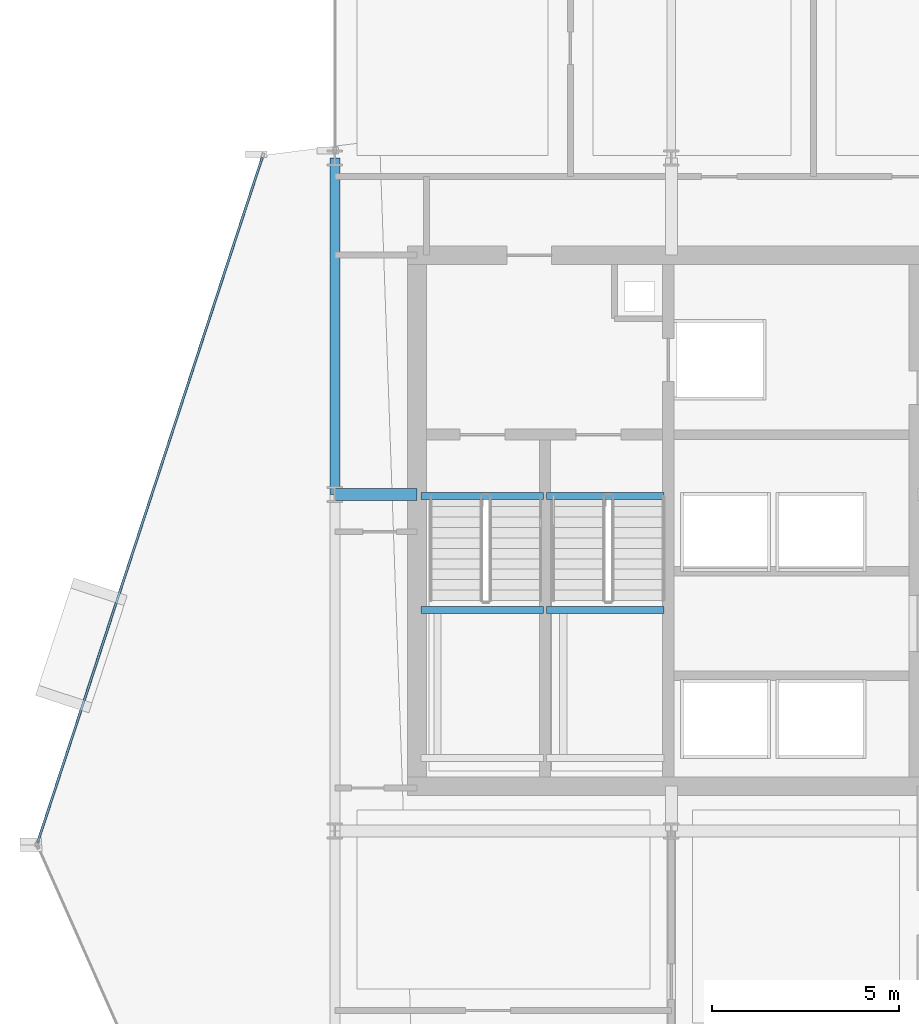
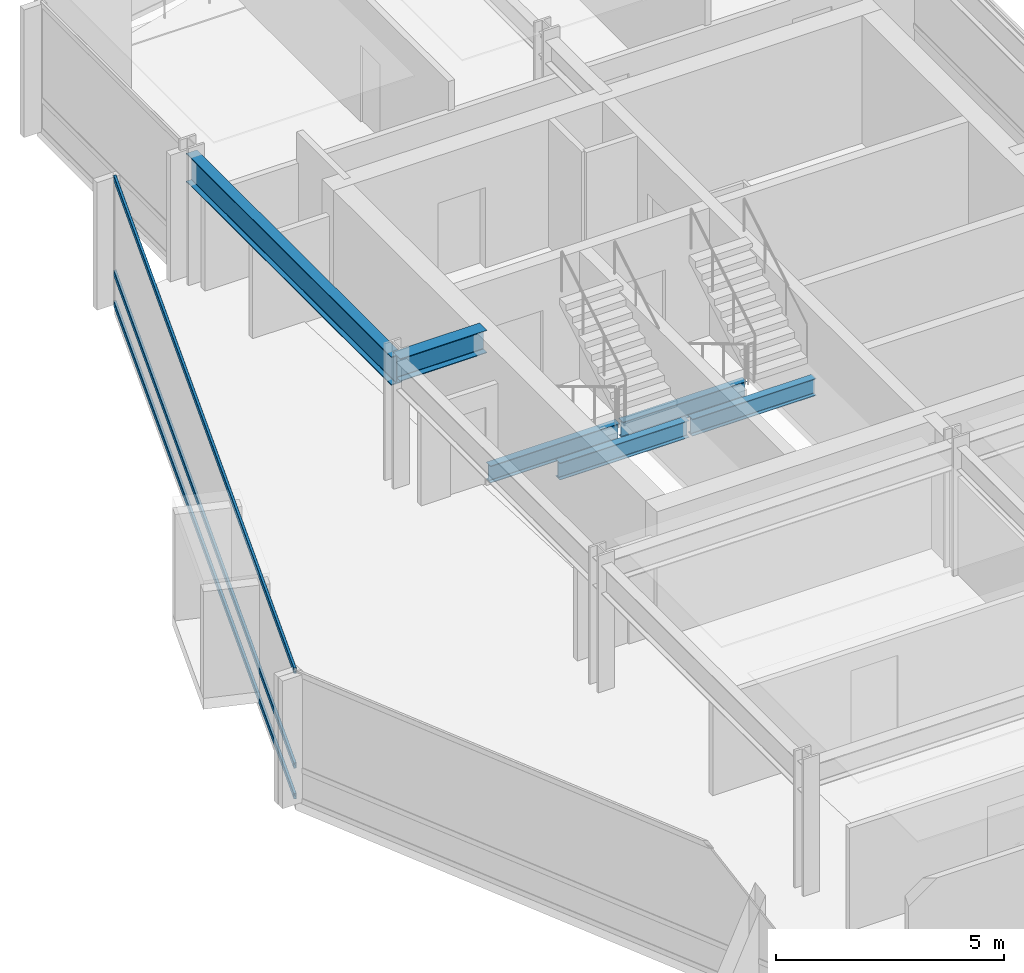
# One storey, part 15 of 29: 6 beams, 3 members, 1 element without a shape of its own.
"""IFC4 building model written with IfcOpenShell, lengths in metres."""

from ifc_helpers import new_model, si_unit, direction, frame, origin, origin_2d, place, context, subcontext, project, spatial, hollow_rectangle, i_section, extrude, material, layer, layer_set, material_profile, profile_set, type_object, element, aggregate, save


model = new_model("IFC4")

# Units and contexts
model_context = context("Model", 3, precision=1e-05, world=origin(), true_north=direction((0.0, 1.0)))
body_context = subcontext(model_context, "Body", "Model", "MODEL_VIEW")
ifc_project = project(units=[si_unit("LENGTHUNIT", "METRE"), si_unit("AREAUNIT", "SQUARE_METRE"), si_unit("VOLUMEUNIT", "CUBIC_METRE"), si_unit("PLANEANGLEUNIT", "RADIAN"), si_unit("MASSUNIT", "GRAM", prefix="KILO")], contexts=[model_context])

# Site, building, storey
site_placement = place(None, origin())
site = spatial("IfcSite", under=ifc_project, at=site_placement, CompositionType="ELEMENT")
building_placement = place(site_placement, origin())
building = spatial("IfcBuilding", under=site, at=building_placement, Name="Solvaryn Broadcast Tower", CompositionType="ELEMENT")
storey_placement = place(building_placement, frame((0.0, 0.0, 161.800048828125)))
storey = spatial("IfcBuildingStorey", under=building, at=storey_placement, Name="L40", CompositionType="ELEMENT", Elevation=161.800048828125)

# Beams
ifc_material_1 = material(Name="Steel ASTM A992 Grade 50", Category="steel")
ifc_material_profile_1 = material_profile(ifc_material_1, i_section(OverallWidth=0.323974609375, OverallDepth=0.611083984375, WebThickness=0.0126953125, FlangeThickness=0.01904296875, FilletRadius=0.014892578125, at=origin_2d()))
ifc_profile_set_1 = profile_set([ifc_material_profile_1], Name="Steel ASTM A992 Grade 50")
beam_type_1 = type_object("IfcBeamType", Name="BM-B1-W24X104", PredefinedType="BEAM", material=ifc_profile_set_1)
beam_1_placement = place(storey_placement, frame((9.0, 36.0, 3.114501953125), z_axis=(1.0, 0.0, 0.0), x_axis=(0.0, 1.0, 0.0)))
element("IfcBeam", 1, at=beam_1_placement, inside=storey, type_object=beam_type_1, Name="L40 Core Tie Beam CTW1", PredefinedType="BEAM", context=body_context, shape_type="SweptSolid", body=[
    extrude(i_section(OverallWidth=0.323974609375, OverallDepth=0.611083984375, WebThickness=0.0126953125, FlangeThickness=0.01904296875, FilletRadius=0.014892578125, at=origin_2d()), origin(), (0.0, 0.0, 1.0), 2.199951171875),
])
ifc_material_2 = material(Name="Steel ASTM A992 Grade 50", Category="steel")
ifc_material_profile_2 = material_profile(ifc_material_2, i_section(OverallWidth=0.18994140625, OverallDepth=0.45703125, WebThickness=0.009033203125, FlangeThickness=0.014404296875, FilletRadius=0.011962890625, at=origin_2d()))
ifc_profile_set_2 = profile_set([ifc_material_profile_2], Name="Steel ASTM A992 Grade 50")
beam_type_2 = type_object("IfcBeamType", Name="BM-B4-W18X50", PredefinedType="BEAM", material=ifc_profile_set_2)
for number, where, z_axis, x_axis, name in (
    (2, (11.300048828125, 35.9599609375, -0.508544921875), (1.0, 0.0, 0.0), (0.0, 1.0, 0.0), "L40 ST1 Stair Well Trimmer Beam"),
    (3, (11.300048828125, 32.909912109375, 1.42138671875), (1.0, 0.0, 0.0), (0.0, 1.0, 0.0), "L40 ST1 Landing Support Beam 1B"),
):
    element("IfcBeam", number, at=place(storey_placement, frame(where, z_axis=z_axis, x_axis=x_axis)), inside=storey, type_object=beam_type_2, Name=name, PredefinedType="BEAM", context=body_context, shape_type="SweptSolid", body=[
        extrude(i_section(OverallWidth=0.18994140625, OverallDepth=0.45703125, WebThickness=0.009033203125, FlangeThickness=0.014404296875, FilletRadius=0.011962890625, at=origin_2d()), origin(), (0.0, 0.0, 1.0), 3.280029296875),
    ])
for number, where, z_axis, x_axis, name in (
    (4, (14.659912109375, 35.9599609375, -0.508544921875), (1.0, 0.0, 0.0), (0.0, 1.0, 0.0), "L40 ST2 Stair Well Trimmer Beam"),
    (5, (14.659912109375, 32.909912109375, 1.42138671875), (1.0, 0.0, 0.0), (0.0, 1.0, 0.0), "L40 ST2 Landing Support Beam 1B"),
):
    element("IfcBeam", number, at=place(storey_placement, frame(where, z_axis=z_axis, x_axis=x_axis)), inside=storey, type_object=beam_type_2, Name=name, PredefinedType="BEAM", context=body_context, shape_type="SweptSolid", body=[
        extrude(i_section(OverallWidth=0.18994140625, OverallDepth=0.45703125, WebThickness=0.009033203125, FlangeThickness=0.014404296875, FilletRadius=0.011962890625, at=origin_2d()), origin(), (0.0, 0.0, 1.0), 3.14013671875),
    ])
ifc_material_3 = material(Name="Steel ASTM A992 Grade 50", Category="steel")
ifc_material_profile_3 = material_profile(ifc_material_3, i_section(OverallWidth=0.26708984375, OverallDepth=0.76611328125, WebThickness=0.014892578125, FlangeThickness=0.023681640625, FilletRadius=0.01806640625, at=origin_2d()))
ifc_profile_set_3 = profile_set([ifc_material_profile_3], Name="Steel ASTM A992 Grade 50")
beam_type_3 = type_object("IfcBeamType", Name="BM-SP2-W30X124", PredefinedType="USERDEFINED", material=ifc_profile_set_3)
beam_2_placement = place(storey_placement, frame((9.0, 36.0, 3.036865234375), z_axis=(0.0, 1.0, 0.0), x_axis=(-1.0, 0.0, 0.0)))
element("IfcBeam", 6, at=beam_2_placement, inside=storey, type_object=beam_type_3, Name="L40 Spandrel Beam Y (36-45 @ X=9)", ObjectType="SPANDREL", PredefinedType="USERDEFINED", context=body_context, shape_type="SweptSolid", body=[
    extrude(i_section(OverallWidth=0.26708984375, OverallDepth=0.76611328125, WebThickness=0.014892578125, FlangeThickness=0.023681640625, FilletRadius=0.01806640625, at=origin_2d()), origin(), (0.0, 0.0, 1.0), 9.0),
])

# Curtain wall, members
ifc_material_4 = material(Name="Aluminium and Terracotta Unitised Curtain Wall", Category="masonry")
ifc_layer = layer(ifc_material_4, 0.199951171875)
ifc_layer_set = layer_set([ifc_layer], Name="CW-SYS2-LOWMID")
curtain_wall_type = type_object("IfcCurtainWallType", Name="CW-SYS2-LOWMID", PredefinedType="NOTDEFINED", material=ifc_layer_set)
curtain_wall_placement = place(storey_placement, origin())
curtain_wall = element("IfcCurtainWall", 7, at=curtain_wall_placement, inside=storey, type_object=curtain_wall_type, Name="L40 Curtain Wall DR1", PredefinedType="NOTDEFINED")
ifc_material_5 = material(Name="Anodised Aluminium 6063-T6", Category="aluminium")
ifc_material_profile_4 = material_profile(ifc_material_5, hollow_rectangle(XDim=0.06494140625, YDim=0.14990234375, WallThickness=0.00390625, InnerFilletRadius=0.00390625, OuterFilletRadius=0.008056640625, at=origin_2d()))
ifc_profile_set_4 = profile_set([ifc_material_profile_4], Name="Anodised Aluminium 6063-T6")
member_type = type_object("IfcMemberType", Name="CW-TRN-150", PredefinedType="USERDEFINED", material=ifc_profile_set_4)
member_1_placement = place(storey_placement, frame((7.060302734375, 45.010009765625, 0.030029296875), z_axis=(-0.31164571445, -0.950198373323, 0.0), x_axis=(0.950198373323, -0.31164571445, 0.0)))
member_1 = element("IfcMember", 8, at=member_1_placement, type_object=member_type, Name="CWS2 transom 1.1", ObjectType="TRANSOM", PredefinedType="USERDEFINED", context=body_context, shape_type="SweptSolid", body=[
    extrude(hollow_rectangle(XDim=0.06494140625, YDim=0.14990234375, WallThickness=0.00390625, InnerFilletRadius=0.00390625, OuterFilletRadius=0.008056640625, at=origin_2d()), origin(), (0.0, 0.0, 1.0), 19.27685546875),
])
member_2_placement = place(storey_placement, frame((7.060302734375, 45.010009765625, 0.849853515625), z_axis=(-0.31164571445, -0.950198373323, 0.0), x_axis=(0.950198373323, -0.31164571445, 0.0)))
member_2 = element("IfcMember", 9, at=member_2_placement, type_object=member_type, Name="CWS2 transom 1.2", ObjectType="TRANSOM", PredefinedType="USERDEFINED", context=body_context, shape_type="SweptSolid", body=[
    extrude(hollow_rectangle(XDim=0.06494140625, YDim=0.14990234375, WallThickness=0.00390625, InnerFilletRadius=0.00390625, OuterFilletRadius=0.008056640625, at=origin_2d()), origin(), (0.0, 0.0, 1.0), 19.27685546875),
])
member_3_placement = place(storey_placement, frame((7.060302734375, 45.010009765625, 3.389892578125), z_axis=(-0.31164571445, -0.950198373323, 0.0), x_axis=(0.950198373323, -0.31164571445, 0.0)))
member_3 = element("IfcMember", 10, at=member_3_placement, type_object=member_type, Name="CWS2 transom 1.3", ObjectType="TRANSOM", PredefinedType="USERDEFINED", context=body_context, shape_type="SweptSolid", body=[
    extrude(hollow_rectangle(XDim=0.06494140625, YDim=0.14990234375, WallThickness=0.00390625, InnerFilletRadius=0.00390625, OuterFilletRadius=0.008056640625, at=origin_2d()), origin(), (0.0, 0.0, 1.0), 19.27685546875),
])
aggregate(curtain_wall, [member_1, member_2, member_3])

save(model, "model.ifc")
